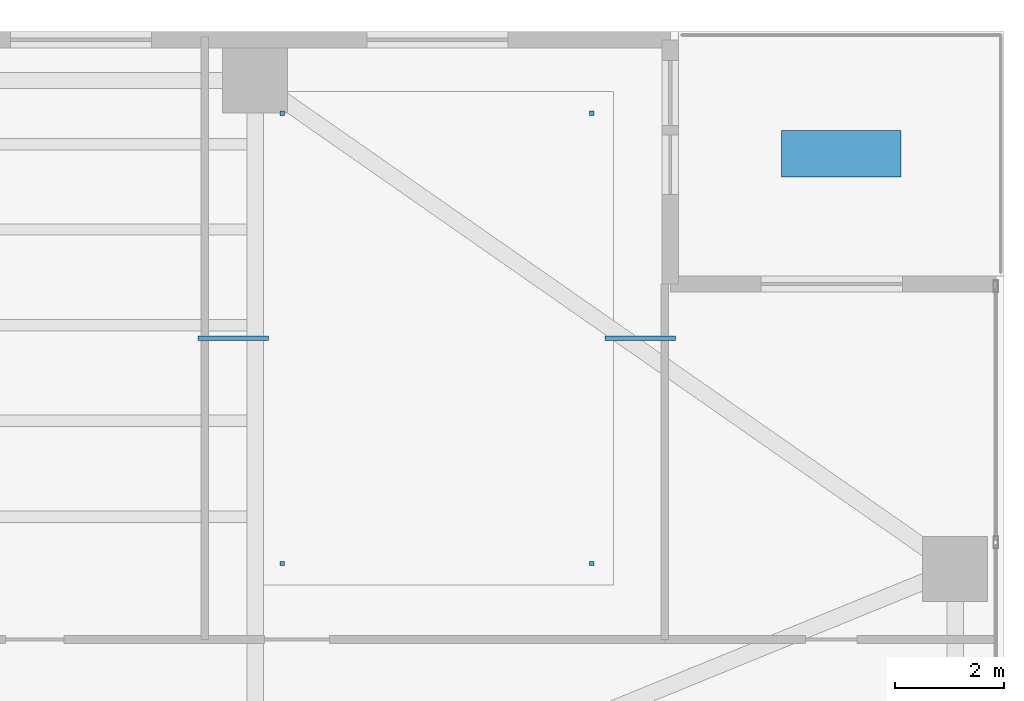
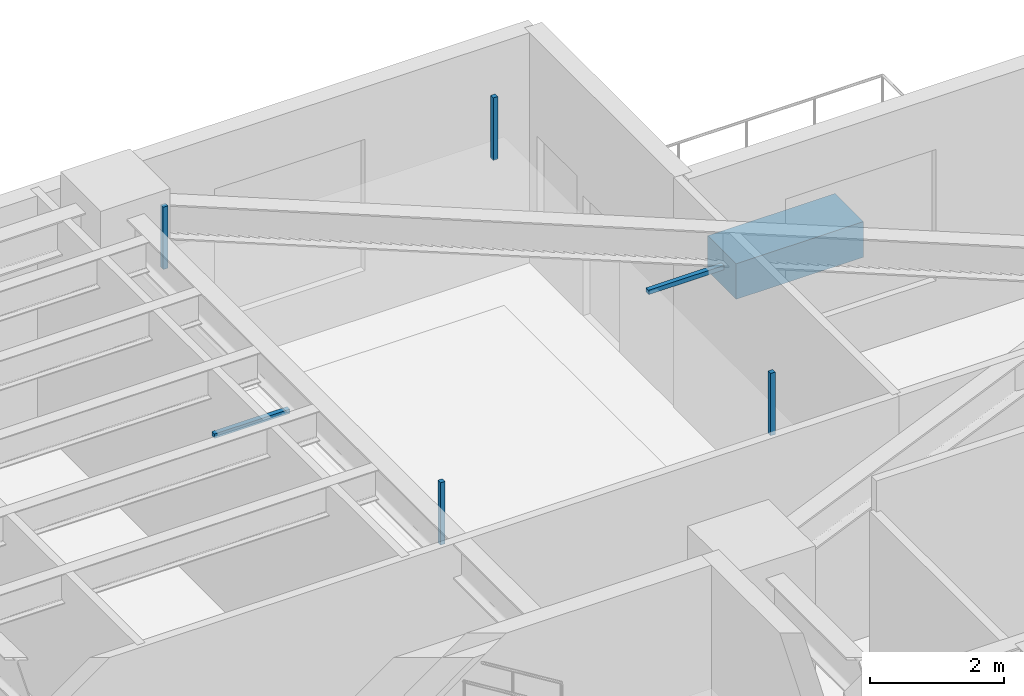
# One storey, part 36 of 40: 7 discrete accessories.
"""IFC4 building model written with IfcOpenShell, lengths in metres."""

import ifcopenshell
import ifcopenshell.guid

model = None  # the IFC model being written
_history = None  # IfcOwnerHistory: only IFC2X3 demands one
_inside = {}  # id of a spatial element -> (the spatial element, [elements in it])
_under = {}  # id of a project, library or spatial element -> (it, [spatial elements below it])
_declared = {}  # id of a project -> (the project, [libraries it declares])
_typed = {}  # id of a type object -> (the type object, [elements of that type])
_made_of = {}  # id of a material, layer set ... -> (it, [elements and type objects made of it])


def new_model(schema):
    """Start an empty IFC model of exactly this schema.

    Asked for "IFC4X3", IfcOpenShell would pick the latest addendum, in which some entities
    have other attributes; the version numbers below select the first issue.
    IFC2X3 requires an IfcOwnerHistory on every rooted entity: one is made here for all.
    """
    global model, _history
    if schema == "IFC4X3":
        model = ifcopenshell.file(schema_version=(4, 3, 0, 0))
    else:
        model = ifcopenshell.file(schema=schema)
    _inside.clear()
    _under.clear()
    _declared.clear()
    _typed.clear()
    _made_of.clear()
    _history = None
    if model.schema == "IFC2X3":
        org = make("IfcOrganization", Name="unknown")
        user = make(
            "IfcPersonAndOrganization",
            ThePerson=make("IfcPerson", FamilyName="unknown"),
            TheOrganization=org,
        )
        app = make(
            "IfcApplication",
            ApplicationDeveloper=org,
            Version="unknown",
            ApplicationFullName="unknown",
            ApplicationIdentifier="unknown",
        )
        _history = make(
            "IfcOwnerHistory",
            OwningUser=user,
            OwningApplication=app,
            ChangeAction="ADDED",
            CreationDate=0,
        )
    return model


def make(cls, **values):
    """One entity of the class cls with the attributes given. An attribute that is None is left unset."""
    return model.create_entity(
        cls, **{name: value for name, value in values.items() if value is not None}
    )


def rooted(cls, **values):
    """An entity with a GlobalId (a new one), such as an element, a storey or a relation."""
    return make(cls, GlobalId=ifcopenshell.guid.new(), OwnerHistory=_history, **values)


def si_unit(unit_type, name, prefix=None):
    """IfcSIUnit, for example si_unit("LENGTHUNIT", "METRE", prefix="MILLI")."""
    return make("IfcSIUnit", UnitType=unit_type, Prefix=prefix, Name=name)


def assignment(units):
    """IfcUnitAssignment: the units of a project."""
    return None if units is None else make("IfcUnitAssignment", Units=units)


def point(xyz):
    """IfcCartesianPoint."""
    return None if xyz is None else make("IfcCartesianPoint", Coordinates=xyz)


def direction(xyz):
    """IfcDirection."""
    return None if xyz is None else make("IfcDirection", DirectionRatios=xyz)


def frame(location, z_axis=None, x_axis=None):
    """IfcAxis2Placement3D, a coordinate frame: its origin and axes. An axis left out is left unset."""
    return make(
        "IfcAxis2Placement3D",
        Location=point(location),
        Axis=direction(z_axis),
        RefDirection=direction(x_axis),
    )


def frame_2d(location, x_axis=None):
    """IfcAxis2Placement2D, a coordinate frame in the plane: its origin and x axis."""
    return make(
        "IfcAxis2Placement2D", Location=point(location), RefDirection=direction(x_axis)
    )


def origin():
    """The frame at (0, 0, 0) with its axes left unset."""
    return frame((0.0, 0.0, 0.0))


def origin_2d():
    """The frame at (0, 0) in the plane with its x axis left unset."""
    return frame_2d((0.0, 0.0))


def place(relative_to, where):
    """IfcLocalPlacement: puts the frame where relative to a parent placement (None: the world)."""
    return make(
        "IfcLocalPlacement", PlacementRelTo=relative_to, RelativePlacement=where
    )


def context(
    kind, dimensions, precision=None, world=None, true_north=None, identifier=None
):
    """IfcGeometricRepresentationContext, for example the 3D "Model" context."""
    return make(
        "IfcGeometricRepresentationContext",
        ContextIdentifier=identifier,
        ContextType=kind,
        CoordinateSpaceDimension=dimensions,
        Precision=precision,
        WorldCoordinateSystem=world,
        TrueNorth=true_north,
    )


def subcontext(parent, identifier, kind, view, scale=None):
    """IfcGeometricRepresentationSubContext, for example "Body" below "Model"."""
    return make(
        "IfcGeometricRepresentationSubContext",
        ContextIdentifier=identifier,
        ContextType=kind,
        ParentContext=parent,
        TargetScale=scale,
        TargetView=view,
    )


def project(units=None, contexts=None):
    """IfcProject with its units and contexts."""
    return rooted(
        "IfcProject",
        Name="project",
        RepresentationContexts=contexts,
        UnitsInContext=assignment(units),
    )


def spatial(cls, under=None, at=None, **own):
    """A site, building, storey or space (cls), placed at a placement, below another one or the project."""
    s = rooted(cls, ObjectPlacement=at, **own)
    if under is not None:
        _under.setdefault(under.id(), (under, []))[1].append(s)
    return s


def profile(cls, at=None, kind="AREA", **sizes):
    """A parametric profile (cls). Its sizes go by their IFC names, for example OverallWidth=200.0."""
    return make(cls, ProfileType=kind, Position=at, **sizes)


def rectangle(**sizes):
    """IfcRectangleProfileDef."""
    return profile("IfcRectangleProfileDef", **sizes)


def extrude(swept, where, along, depth):
    """IfcExtrudedAreaSolid: the profile swept, set in the frame where, extruded along a direction by depth."""
    return make(
        "IfcExtrudedAreaSolid",
        SweptArea=swept,
        Position=where,
        ExtrudedDirection=direction(along),
        Depth=depth,
    )


def shape(context_of_items, identifier, shape_type, items):
    """IfcShapeRepresentation: the items that make up one representation, for example the "Body"."""
    return make(
        "IfcShapeRepresentation",
        ContextOfItems=context_of_items,
        RepresentationIdentifier=identifier,
        RepresentationType=shape_type,
        Items=items,
    )


def material(Name=None, Category=None):
    """IfcMaterial."""
    return make("IfcMaterial", Name=Name, Category=Category)


def made_of(thing, what):
    """Note that an element or type object is made of a material, layer set ...; save() writes the relation."""
    if what is not None:
        _made_of.setdefault(what.id(), (what, []))[1].append(thing)
    return thing


def type_object(cls, material=None, **own):
    """A type object (cls), such as IfcWallType, which elements share."""
    return made_of(rooted(cls, **own), material)


def element(
    cls,
    number,
    at=None,
    inside=None,
    cuts=None,
    type_object=None,
    material=None,
    context=None,
    identifier="Body",
    shape_type=None,
    held_by="IfcProductDefinitionShape",
    body=None,
    shapes=None,
    **own,
):
    """One element of the class cls, such as IfcWall. Its Tag is "e" and its number.

    at: its placement. inside: the storey or other place that contains it. cuts: it is an
    opening in that element (IfcRelVoidsElement). A single representation is given by context,
    identifier, shape_type and body (its items); several are given by shapes. held_by: the class
    of the entity that holds the representations. save() writes the other relations.
    """
    e = rooted(cls, Tag="e%d" % number, ObjectPlacement=at, **own)
    if body is not None:
        shapes = [shape(context, identifier, shape_type, body)]
    if shapes is not None:
        e.Representation = make(held_by, Representations=shapes)
    if inside is not None:
        _inside.setdefault(inside.id(), (inside, []))[1].append(e)
    if cuts is not None:
        rooted(
            "IfcRelVoidsElement", RelatingBuildingElement=cuts, RelatedOpeningElement=e
        )
    if type_object is not None:
        _typed.setdefault(type_object.id(), (type_object, []))[1].append(e)
    return made_of(e, material)


def aggregate(whole, parts):
    """IfcRelAggregates: a whole, such as a stair, and the parts it consists of."""
    return rooted("IfcRelAggregates", RelatingObject=whole, RelatedObjects=parts)


def save(model, path):
    """Write the relations noted so far, then the file.

    IfcRelAggregates (storeys below a building ...), IfcRelContainedInSpatialStructure (elements
    in a storey), IfcRelDefinesByType, IfcRelAssociatesMaterial and IfcRelDeclares: one each for
    every whole, place, type object, material and project.
    """
    for whole, parts in _under.values():
        aggregate(whole, parts)
    for where, things in _inside.values():
        rooted(
            "IfcRelContainedInSpatialStructure",
            RelatedElements=things,
            RelatingStructure=where,
        )
    for kind, things in _typed.values():
        rooted("IfcRelDefinesByType", RelatedObjects=things, RelatingType=kind)
    for what, things in _made_of.values():
        rooted("IfcRelAssociatesMaterial", RelatedObjects=things, RelatingMaterial=what)
    for by, libraries in _declared.values():
        rooted("IfcRelDeclares", RelatingContext=by, RelatedDefinitions=libraries)
    model.write(path)


model = new_model("IFC4")

# Units and contexts
model_context = context("Model", 3, precision=1e-05, world=origin(), true_north=direction((0.0, 1.0)))
body_context = subcontext(model_context, "Body", "Model", "MODEL_VIEW")
ifc_project = project(units=[si_unit("LENGTHUNIT", "METRE"), si_unit("AREAUNIT", "SQUARE_METRE"), si_unit("VOLUMEUNIT", "CUBIC_METRE"), si_unit("PLANEANGLEUNIT", "RADIAN"), si_unit("MASSUNIT", "GRAM", prefix="KILO")], contexts=[model_context])

# Site, building, storey
site_placement = place(None, origin())
site = spatial("IfcSite", under=ifc_project, at=site_placement, CompositionType="ELEMENT")
building_placement = place(site_placement, origin())
building = spatial("IfcBuilding", under=site, at=building_placement, Name="Tarnavaz Court Tower", CompositionType="ELEMENT")
storey_placement = place(building_placement, frame((0.0, 0.0, 64.199951171875)))
storey = spatial("IfcBuildingStorey", under=building, at=storey_placement, Name="L17", CompositionType="ELEMENT", Elevation=64.199951171875)

# Discrete accessories
ifc_material_1 = material(Name="Anodised Aluminium 6063-T6", Category="aluminium")
discrete_accessory_type_1 = type_object("IfcDiscreteAccessoryType", Name="DA-BRKT-ALU", PredefinedType="BRACKET", material=ifc_material_1)
for number, where, z_axis, x_axis, name in (
    (1, (15.4970703125, 13.89990234375, 3.09033203125), (0.0, 0.0, 1.0), (1.0, 0.0, 0.0), "L17 Ceiling Suspension Hanger Bracket 03-1"),
    (2, (21.199951171875, 13.89990234375, 3.09033203125), (0.0, 0.0, 1.0), (1.0, 0.0, 0.0), "L17 Ceiling Suspension Hanger Bracket 03-2"),
    (3, (21.199951171875, 22.199951171875, 3.09033203125), (0.0, 0.0, 1.0), (1.0, 0.0, 0.0), "L17 Ceiling Suspension Hanger Bracket 03-3"),
    (4, (15.4970703125, 22.199951171875, 3.09033203125), (0.0, 0.0, 1.0), (1.0, 0.0, 0.0), "L17 Ceiling Suspension Hanger Bracket 03-4"),
):
    element("IfcDiscreteAccessory", number, at=place(storey_placement, frame(where, z_axis=z_axis, x_axis=x_axis)), inside=storey, type_object=discrete_accessory_type_1, Name=name, PredefinedType="BRACKET", context=body_context, shape_type="SweptSolid", body=[
        extrude(rectangle(XDim=0.080078125, YDim=0.080078125, at=origin_2d()), origin(), (0.0, 0.0, 1.0), 1.139892578125),
    ])
for number, where, z_axis, x_axis, name in (
    (5, (14.596923828125, 18.050048828125, 3.052490234375), (0.0, 0.0, 1.0), (1.0, 0.0, 0.0), "L17 Ceiling Perimeter Wall-Tie Bracket 03-1"),
    (6, (22.10009765625, 18.050048828125, 3.052490234375), (0.0, 0.0, 1.0), (1.0, 0.0, 0.0), "L17 Ceiling Perimeter Wall-Tie Bracket 03-2"),
):
    element("IfcDiscreteAccessory", number, at=place(storey_placement, frame(where, z_axis=z_axis, x_axis=x_axis)), inside=storey, type_object=discrete_accessory_type_1, Name=name, PredefinedType="BRACKET", context=body_context, shape_type="SweptSolid", body=[
        extrude(rectangle(XDim=1.300048828125, YDim=0.080078125, at=origin_2d()), origin(), (0.0, 0.0, 1.0), 0.080078125),
    ])
ifc_material_2 = material(Name="Terracotta Architectural Planter Trough", Category="masonry")
discrete_accessory_type_2 = type_object("IfcDiscreteAccessoryType", Name="DA-PLANTER-TC", PredefinedType="USERDEFINED", material=ifc_material_2)
discrete_accessory_placement = place(storey_placement, frame((25.800048828125, 21.449951171875, 0.0), z_axis=(0.0, 0.0, 1.0), x_axis=(1.0, 0.0, 0.0)))
element("IfcDiscreteAccessory", 7, at=discrete_accessory_placement, inside=storey, type_object=discrete_accessory_type_2, Name="L17 Chahar-Bagh Terracotta Landscape Planter 1", ObjectType="PLANTER", PredefinedType="USERDEFINED", context=body_context, shape_type="SweptSolid", body=[
    extrude(rectangle(XDim=2.199951171875, YDim=0.85009765625, at=origin_2d()), origin(), (0.0, 0.0, 1.0), 0.64990234375),
])

save(model, "model.ifc")
